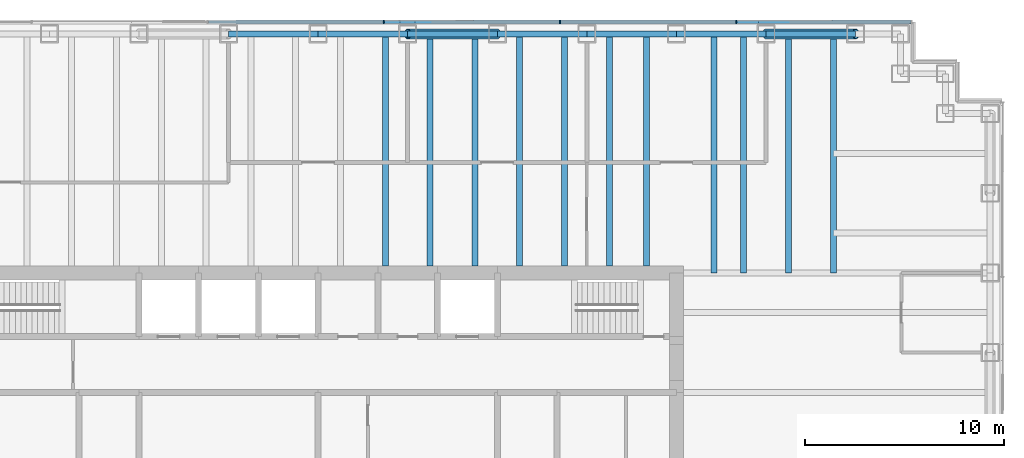
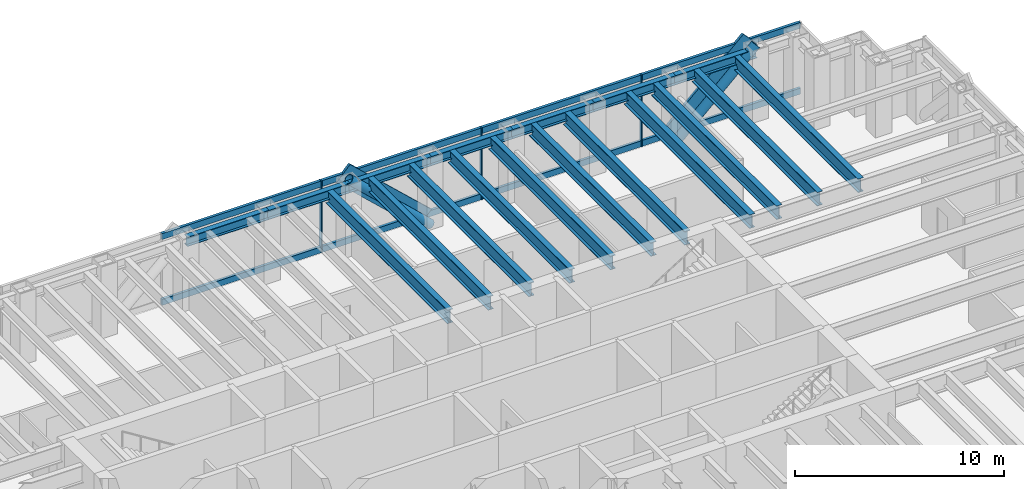
# One storey, part 7 of 15: 18 beams, 15 members, 1 element without a shape of its own.
"""IFC4 building model written with IfcOpenShell, lengths in metres."""

from ifc_helpers import new_model, si_unit, direction, frame, origin, origin_2d, place, context, subcontext, project, spatial, rectangle, hollow_circle, i_section, extrude, material, material_profile, profile_set, type_object, element, aggregate, save


model = new_model("IFC4")

# Units and contexts
model_context = context("Model", 3, precision=1e-05, world=origin(), true_north=direction((0.0, 1.0)))
body_context = subcontext(model_context, "Body", "Model", "MODEL_VIEW")
ifc_project = project(units=[si_unit("LENGTHUNIT", "METRE"), si_unit("AREAUNIT", "SQUARE_METRE"), si_unit("VOLUMEUNIT", "CUBIC_METRE"), si_unit("PLANEANGLEUNIT", "RADIAN"), si_unit("MASSUNIT", "GRAM", prefix="KILO")], contexts=[model_context])

# Site, building, storey
site_placement = place(None, origin())
site = spatial("IfcSite", under=ifc_project, at=site_placement, CompositionType="ELEMENT")
building_placement = place(site_placement, origin())
building = spatial("IfcBuilding", under=site, at=building_placement, Name="Rheinbord Bourse Tower", CompositionType="ELEMENT")
storey_placement = place(building_placement, frame((0.0, 0.0, 296.300048828125)))
storey = spatial("IfcBuildingStorey", under=building, at=storey_placement, Name="L67", CompositionType="ELEMENT", Elevation=296.300048828125)

# Curtain wall, members
ifc_material_1 = material(Name="Dark glass and black aluminium", Category="aluminium")
curtain_wall_type = type_object("IfcCurtainWallType", Name="CW3 DARK GLASS CURTAIN WALL", PredefinedType="USERDEFINED", material=ifc_material_1)
curtain_wall_placement = place(storey_placement, origin())
curtain_wall = element("IfcCurtainWall", 1, at=curtain_wall_placement, inside=storey, type_object=curtain_wall_type, Name="Curtain wall CW3 N L67", ObjectType="UNITISED CURTAIN WALL", PredefinedType="USERDEFINED")
ifc_material_2 = material(Name="Black anodised aluminium", Category="aluminium")
ifc_material_profile_1 = material_profile(ifc_material_2, rectangle(XDim=0.14990234375, YDim=1.10791015625, at=origin_2d()), Name="CW3 DIAGONAL MULLION 1108x150")
ifc_profile_set_1 = profile_set([ifc_material_profile_1], Name="Black anodised aluminium")
member_type_1 = type_object("IfcMemberType", Name="CW3 BLACK DIAGONAL MULLION", PredefinedType="USERDEFINED", material=ifc_profile_set_1)
member_1_placement = place(storey_placement, frame((58.5, 44.60009765625, 0.0), z_axis=(0.73105922506, 0.0, 0.682314010889), x_axis=(0.0, 1.0, 0.0)))
member_1 = element("IfcMember", 2, at=member_1_placement, type_object=member_type_1, Name="CW3 diagonal mullion a", ObjectType="DIAGONAL MULLION", PredefinedType="USERDEFINED", context=body_context, shape_type="SweptSolid", body=[
    extrude(rectangle(XDim=0.14990234375, YDim=1.10791015625, at=origin_2d()), origin(), (0.0, 0.0, 1.0), 6.155517578125),
])
member_2_placement = place(storey_placement, frame((45.0, 44.60009765625, 0.0), z_axis=(-0.73105922506, 0.0, 0.682314010889), x_axis=(0.0, -1.0, 0.0)))
member_2 = element("IfcMember", 3, at=member_2_placement, type_object=member_type_1, Name="CW3 diagonal mullion c", ObjectType="DIAGONAL MULLION", PredefinedType="USERDEFINED", context=body_context, shape_type="SweptSolid", body=[
    extrude(rectangle(XDim=0.14990234375, YDim=1.10791015625, at=origin_2d()), origin(), (0.0, 0.0, 1.0), 6.155517578125),
])
ifc_material_3 = material(Name="Black anodised aluminium", Category="aluminium")
ifc_material_profile_2 = material_profile(ifc_material_3, rectangle(XDim=0.199951171875, YDim=0.06494140625, at=origin_2d()), Name="CW3 MULLION 65x200")
ifc_profile_set_2 = profile_set([ifc_material_profile_2], Name="Black anodised aluminium")
member_type_2 = type_object("IfcMemberType", Name="CW3 BLACK MULLION", PredefinedType="MULLION", material=ifc_profile_set_2)
member_3_placement = place(storey_placement, frame((57.0, 44.60009765625, 0.0), z_axis=(0.0, 0.0, 1.0), x_axis=(0.0, -1.0, 0.0)))
member_3 = element("IfcMember", 4, at=member_3_placement, type_object=member_type_2, Name="CW3 mullion 2", PredefinedType="MULLION", context=body_context, shape_type="SweptSolid", body=[
    extrude(rectangle(XDim=0.199951171875, YDim=0.06494140625, at=origin_2d()), origin(), (0.0, 0.0, 1.0), 4.199951171875),
])
member_4_placement = place(storey_placement, frame((48.14990234375, 44.60009765625, 0.0), z_axis=(0.0, 0.0, 1.0), x_axis=(0.0, -1.0, 0.0)))
member_4 = element("IfcMember", 5, at=member_4_placement, type_object=member_type_2, Name="CW3 mullion 3", PredefinedType="MULLION", context=body_context, shape_type="SweptSolid", body=[
    extrude(rectangle(XDim=0.199951171875, YDim=0.06494140625, at=origin_2d()), origin(), (0.0, 0.0, 1.0), 4.199951171875),
])
member_5_placement = place(storey_placement, frame((39.300048828125, 44.60009765625, 0.0), z_axis=(0.0, 0.0, 1.0), x_axis=(0.0, -1.0, 0.0)))
member_5 = element("IfcMember", 6, at=member_5_placement, type_object=member_type_2, Name="CW3 mullion 4", PredefinedType="MULLION", context=body_context, shape_type="SweptSolid", body=[
    extrude(rectangle(XDim=0.199951171875, YDim=0.06494140625, at=origin_2d()), origin(), (0.0, 0.0, 1.0), 4.199951171875),
])
ifc_material_4 = material(Name="Black anodised aluminium", Category="aluminium")
ifc_material_profile_3 = material_profile(ifc_material_4, rectangle(XDim=0.14990234375, YDim=0.35009765625, at=origin_2d()), Name="CW3 TRANSOM 350x150")
ifc_profile_set_3 = profile_set([ifc_material_profile_3], Name="Black anodised aluminium")
member_type_3 = type_object("IfcMemberType", Name="CW3 BLACK TRANSOM", PredefinedType="USERDEFINED", material=ifc_profile_set_3)
member_6_placement = place(storey_placement, frame((65.784912109375, 44.60009765625, 0.175048828125), z_axis=(-1.0, 0.0, 0.0), x_axis=(0.0, -1.0, 0.0)))
member_6 = element("IfcMember", 7, at=member_6_placement, type_object=member_type_3, Name="CW3 transom 1.1", ObjectType="TRANSOM", PredefinedType="USERDEFINED", context=body_context, shape_type="SweptSolid", body=[
    extrude(rectangle(XDim=0.14990234375, YDim=0.35009765625, at=origin_2d()), origin(), (0.0, 0.0, 1.0), 8.75244140625),
])
member_7_placement = place(storey_placement, frame((65.784912109375, 44.60009765625, 4.02490234375), z_axis=(-1.0, 0.0, 0.0), x_axis=(0.0, -1.0, 0.0)))
member_7 = element("IfcMember", 8, at=member_7_placement, type_object=member_type_3, Name="CW3 transom 1.2", ObjectType="TRANSOM", PredefinedType="USERDEFINED", context=body_context, shape_type="SweptSolid", body=[
    extrude(rectangle(XDim=0.14990234375, YDim=0.35009765625, at=origin_2d()), origin(), (0.0, 0.0, 1.0), 8.75244140625),
])
member_8_placement = place(storey_placement, frame((56.967529296875, 44.60009765625, 0.175048828125), z_axis=(-1.0, 0.0, 0.0), x_axis=(0.0, -1.0, 0.0)))
member_8 = element("IfcMember", 9, at=member_8_placement, type_object=member_type_3, Name="CW3 transom 2.1", ObjectType="TRANSOM", PredefinedType="USERDEFINED", context=body_context, shape_type="SweptSolid", body=[
    extrude(rectangle(XDim=0.14990234375, YDim=0.35009765625, at=origin_2d()), origin(), (0.0, 0.0, 1.0), 8.784912109375),
])
member_9_placement = place(storey_placement, frame((56.967529296875, 44.60009765625, 4.02490234375), z_axis=(-1.0, 0.0, 0.0), x_axis=(0.0, -1.0, 0.0)))
member_9 = element("IfcMember", 10, at=member_9_placement, type_object=member_type_3, Name="CW3 transom 2.2", ObjectType="TRANSOM", PredefinedType="USERDEFINED", context=body_context, shape_type="SweptSolid", body=[
    extrude(rectangle(XDim=0.14990234375, YDim=0.35009765625, at=origin_2d()), origin(), (0.0, 0.0, 1.0), 8.784912109375),
])
member_10_placement = place(storey_placement, frame((48.117431640625, 44.60009765625, 0.175048828125), z_axis=(-1.0, 0.0, 0.0), x_axis=(0.0, -1.0, 0.0)))
member_10 = element("IfcMember", 11, at=member_10_placement, type_object=member_type_3, Name="CW3 transom 3.1", ObjectType="TRANSOM", PredefinedType="USERDEFINED", context=body_context, shape_type="SweptSolid", body=[
    extrude(rectangle(XDim=0.14990234375, YDim=0.35009765625, at=origin_2d()), origin(), (0.0, 0.0, 1.0), 8.784912109375),
])
member_11_placement = place(storey_placement, frame((48.117431640625, 44.60009765625, 4.02490234375), z_axis=(-1.0, 0.0, 0.0), x_axis=(0.0, -1.0, 0.0)))
member_11 = element("IfcMember", 12, at=member_11_placement, type_object=member_type_3, Name="CW3 transom 3.2", ObjectType="TRANSOM", PredefinedType="USERDEFINED", context=body_context, shape_type="SweptSolid", body=[
    extrude(rectangle(XDim=0.14990234375, YDim=0.35009765625, at=origin_2d()), origin(), (0.0, 0.0, 1.0), 8.784912109375),
])
member_12_placement = place(storey_placement, frame((39.267578125, 44.60009765625, 0.175048828125), z_axis=(-1.0, 0.0, 0.0), x_axis=(0.0, -1.0, 0.0)))
member_12 = element("IfcMember", 13, at=member_12_placement, type_object=member_type_3, Name="CW3 transom 4.1", ObjectType="TRANSOM", PredefinedType="USERDEFINED", context=body_context, shape_type="SweptSolid", body=[
    extrude(rectangle(XDim=0.14990234375, YDim=0.35009765625, at=origin_2d()), origin(), (0.0, 0.0, 1.0), 8.78515625),
])
member_13_placement = place(storey_placement, frame((39.267578125, 44.60009765625, 4.02490234375), z_axis=(-1.0, 0.0, 0.0), x_axis=(0.0, -1.0, 0.0)))
member_13 = element("IfcMember", 14, at=member_13_placement, type_object=member_type_3, Name="CW3 transom 4.2", ObjectType="TRANSOM", PredefinedType="USERDEFINED", context=body_context, shape_type="SweptSolid", body=[
    extrude(rectangle(XDim=0.14990234375, YDim=0.35009765625, at=origin_2d()), origin(), (0.0, 0.0, 1.0), 8.78515625),
])
aggregate(curtain_wall, [member_3, member_4, member_5, member_6, member_7, member_8, member_9, member_10, member_11, member_12, member_13, member_1, member_2])

# Beams
ifc_material_5 = material(Name="Steel S460", Category="steel")
ifc_material_profile_4 = material_profile(ifc_material_5, i_section(OverallWidth=0.300048828125, OverallDepth=0.800048828125, WebThickness=0.017578125, FlangeThickness=0.032958984375, at=origin_2d()), Name="HEB 800")
ifc_profile_set_4 = profile_set([ifc_material_profile_4], Name="Steel S460")
beam_type_1 = type_object("IfcBeamType", Name="FLOOR BEAM HEB 800", PredefinedType="BEAM", material=ifc_profile_set_4)
for number, where, z_axis, x_axis, name in (
    (15, (39.375, 44.0, 3.639892578125), (0.0, -1.0, 0.0), (1.0, 0.0, 0.0), "Floor beam N-36b L68"),
    (16, (41.625, 44.0, 3.639892578125), (0.0, -1.0, 0.0), (1.0, 0.0, 0.0), "Floor beam N-40.5a L68"),
    (17, (43.875, 44.0, 3.639892578125), (0.0, -1.0, 0.0), (1.0, 0.0, 0.0), "Floor beam N-40.5b L68"),
    (18, (46.125, 44.0, 3.639892578125), (0.0, -1.0, 0.0), (1.0, 0.0, 0.0), "Floor beam N-45a L68"),
    (19, (48.375, 44.0, 3.639892578125), (0.0, -1.0, 0.0), (1.0, 0.0, 0.0), "Floor beam N-45b L68"),
    (20, (50.625, 44.0, 3.639892578125), (0.0, -1.0, 0.0), (1.0, 0.0, 0.0), "Floor beam N-49.5a L68"),
    (21, (52.5, 44.0, 3.639892578125), (0.0, -1.0, 0.0), (1.0, 0.0, 0.0), "Floor beam N-49.5b L68"),
):
    element("IfcBeam", number, at=place(storey_placement, frame(where, z_axis=z_axis, x_axis=x_axis)), inside=storey, type_object=beam_type_1, Name=name, PredefinedType="BEAM", context=body_context, shape_type="SweptSolid", body=[
        extrude(i_section(OverallWidth=0.300048828125, OverallDepth=0.800048828125, WebThickness=0.017578125, FlangeThickness=0.032958984375, at=origin_2d()), origin(), (0.0, 0.0, 1.0), 11.64990234375),
    ])
for number, where, z_axis, x_axis, name in (
    (22, (55.875, 44.0, 3.639892578125), (0.0, -1.0, 0.0), (1.0, 0.0, 0.0), "Floor beam N-54a L68"),
    (23, (57.375, 44.0, 3.639892578125), (0.0, -1.0, 0.0), (1.0, 0.0, 0.0), "Floor beam N-54b L68"),
    (24, (59.625, 44.0, 3.639892578125), (0.0, -1.0, 0.0), (1.0, 0.0, 0.0), "Floor beam N-58.5a L68"),
    (25, (61.875, 44.0, 3.639892578125), (0.0, -1.0, 0.0), (1.0, 0.0, 0.0), "Floor beam N-58.5b L68"),
):
    element("IfcBeam", number, at=place(storey_placement, frame(where, z_axis=z_axis, x_axis=x_axis)), inside=storey, type_object=beam_type_1, Name=name, PredefinedType="BEAM", context=body_context, shape_type="SweptSolid", body=[
        extrude(i_section(OverallWidth=0.300048828125, OverallDepth=0.800048828125, WebThickness=0.017578125, FlangeThickness=0.032958984375, at=origin_2d()), origin(), (0.0, 0.0, 1.0), 12.0),
    ])

# Members
ifc_material_6 = material(Name="Steel S460", Category="steel")
ifc_material_profile_5 = material_profile(ifc_material_6, hollow_circle(Radius=0.25390625, WallThickness=0.030029296875, at=origin_2d()), Name="CHS 508x30")
ifc_profile_set_5 = profile_set([ifc_material_profile_5], Name="Steel S460")
member_type_4 = type_object("IfcMemberType", Name="MEGABRACE CHS 508x30", PredefinedType="BRACE", material=ifc_profile_set_5)
for number, where, z_axis, x_axis, name in (
    (26, (58.5, 44.0, 0.0), (0.73105922506, 0.0, 0.682314010889), (0.0, 1.0, 0.0), "Megabrace N face line a L67"),
    (27, (45.0, 44.0, 0.0), (-0.73105922506, 0.0, 0.682314010889), (0.0, -1.0, 0.0), "Megabrace N face line c L67"),
):
    element("IfcMember", number, at=place(storey_placement, frame(where, z_axis=z_axis, x_axis=x_axis)), inside=storey, type_object=member_type_4, Name=name, PredefinedType="BRACE", context=body_context, shape_type="SweptSolid", body=[
        extrude(hollow_circle(Radius=0.25390625, WallThickness=0.030029296875, at=origin_2d()), origin(), (0.0, 0.0, 1.0), 6.155517578125),
    ])

# Beams
ifc_material_7 = material(Name="Steel S460", Category="steel")
ifc_material_profile_6 = material_profile(ifc_material_7, i_section(OverallWidth=0.300048828125, OverallDepth=0.550048828125, WebThickness=0.014892578125, FlangeThickness=0.029052734375, at=origin_2d()), Name="HEB 550")
ifc_profile_set_6 = profile_set([ifc_material_profile_6], Name="Steel S460")
beam_type_2 = type_object("IfcBeamType", Name="SPANDREL HEB 550", PredefinedType="SPANDREL", material=ifc_profile_set_6)
for number, where, z_axis, x_axis, name in (
    (28, (63.0, 44.0, 3.764892578125), (-1.0, 0.0, 0.0), (0.0, -1.0, 0.0), "Spandrel N-63-N-58.5 under L68"),
    (29, (58.5, 44.0, 3.764892578125), (-1.0, 0.0, 0.0), (0.0, -1.0, 0.0), "Spandrel N-58.5-N-54 under L68"),
    (30, (54.0, 44.0, 3.764892578125), (-1.0, 0.0, 0.0), (0.0, -1.0, 0.0), "Spandrel N-54-N-49.5 under L68"),
    (31, (49.5, 44.0, 3.764892578125), (-1.0, 0.0, 0.0), (0.0, -1.0, 0.0), "Spandrel N-49.5-N-45 under L68"),
    (32, (45.0, 44.0, 3.764892578125), (-1.0, 0.0, 0.0), (0.0, -1.0, 0.0), "Spandrel N-45-N-40.5 under L68"),
    (33, (40.5, 44.0, 3.764892578125), (-1.0, 0.0, 0.0), (0.0, -1.0, 0.0), "Spandrel N-40.5-N-36 under L68"),
    (34, (36.0, 44.0, 3.764892578125), (-1.0, 0.0, 0.0), (0.0, -1.0, 0.0), "Spandrel N-36-N-31.5 under L68"),
):
    element("IfcBeam", number, at=place(storey_placement, frame(where, z_axis=z_axis, x_axis=x_axis)), inside=storey, type_object=beam_type_2, Name=name, PredefinedType="SPANDREL", context=body_context, shape_type="SweptSolid", body=[
        extrude(i_section(OverallWidth=0.300048828125, OverallDepth=0.550048828125, WebThickness=0.014892578125, FlangeThickness=0.029052734375, at=origin_2d()), origin(), (0.0, 0.0, 1.0), 4.5),
    ])

save(model, "model.ifc")
